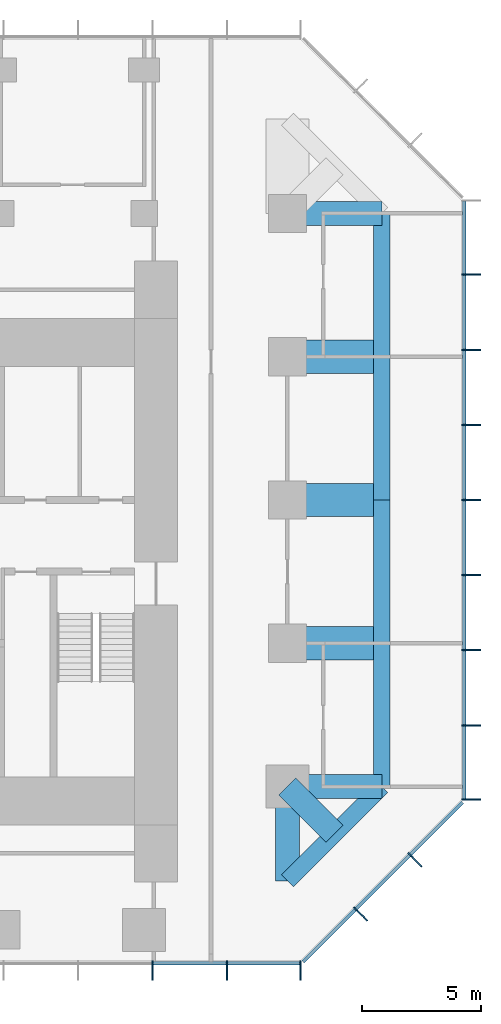
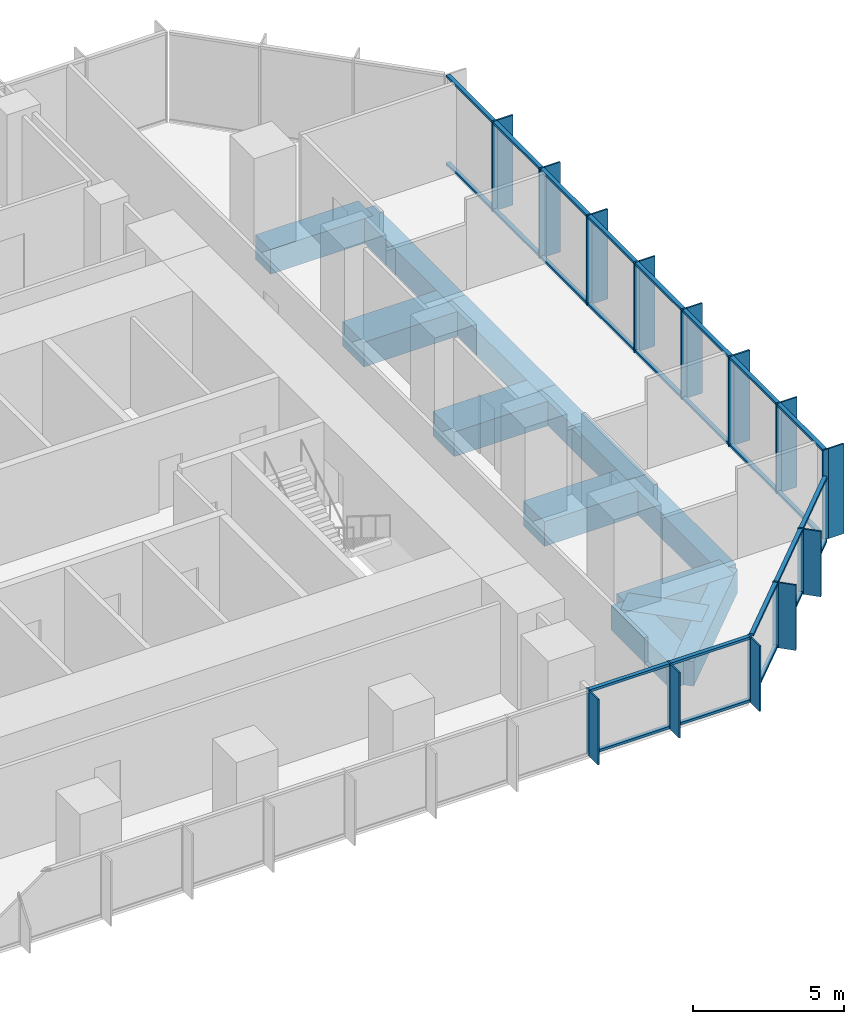
# One storey, part 4 of 10: 52 members, 12 beams, 3 elements without a shape of their own.
"""IFC4 building model written with IfcOpenShell, lengths in metres."""

from ifc_helpers import new_model, si_unit, direction, frame, origin, origin_2d, place, context, subcontext, project, spatial, rectangle, extrude, material, layer, layer_set, material_profile, profile_set, type_object, element, aggregate, save


model = new_model("IFC4")

# Units and contexts
model_context = context("Model", 3, precision=1e-05, world=origin(), true_north=direction((0.0, 1.0)))
body_context = subcontext(model_context, "Body", "Model", "MODEL_VIEW")
ifc_project = project(units=[si_unit("LENGTHUNIT", "METRE"), si_unit("AREAUNIT", "SQUARE_METRE"), si_unit("VOLUMEUNIT", "CUBIC_METRE"), si_unit("PLANEANGLEUNIT", "RADIAN"), si_unit("MASSUNIT", "GRAM", prefix="KILO")], contexts=[model_context])

# Site, building, storey
site_placement = place(None, origin())
site = spatial("IfcSite", under=ifc_project, at=site_placement, CompositionType="ELEMENT")
building_placement = place(site_placement, origin())
building = spatial("IfcBuilding", under=site, at=building_placement, Name="Highveld Stack Headquarters", CompositionType="ELEMENT")
storey_placement = place(building_placement, frame((0.0, 0.0, 264.5)))
storey = spatial("IfcBuildingStorey", under=building, at=storey_placement, Name="L65", CompositionType="ELEMENT", Elevation=264.5)

# Beams
ifc_material_1 = material(Name="Concrete C60/75", Category="concrete")
ifc_material_profile_1 = material_profile(ifc_material_1, rectangle(XDim=1.0, YDim=1.0, at=origin_2d()), Name="RC 1000x1000")
ifc_profile_set_1 = profile_set([ifc_material_profile_1], Name="Concrete C60/75")
beam_type_1 = type_object("IfcBeamType", Name="CANTILEVER RIB RC 1000x1000", PredefinedType="USERDEFINED", material=ifc_profile_set_1)
for number, where, z_axis, x_axis, name in (
    (1, (24.0, -6.0, -0.75), (1.0, 0.0, 0.0), (0.0, 1.0, 0.0), "Cantilever rib 10/D L65"),
    (2, (24.0, -6.0, -0.75), (0.0, -1.0, 0.0), (1.0, 0.0, 0.0), "Cantilever rib 10/D L65"),
):
    element("IfcBeam", number, at=place(storey_placement, frame(where, z_axis=z_axis, x_axis=x_axis)), inside=storey, type_object=beam_type_1, Name=name, ObjectType="CANTILEVER RIB", PredefinedType="USERDEFINED", context=body_context, shape_type="SweptSolid", body=[
        extrude(rectangle(XDim=1.0, YDim=1.0, at=origin_2d()), origin(), (0.0, 0.0, 1.0), 3.949951171875),
    ])
beam_1_placement = place(storey_placement, frame((24.0, -6.0, -0.75), z_axis=(0.707106781187, -0.707106781187, 0.0), x_axis=(0.707106781187, 0.707106781187, 0.0)))
element("IfcBeam", 3, at=beam_1_placement, inside=storey, type_object=beam_type_1, Name="Cantilever rib 10/D L65", ObjectType="CANTILEVER RIB", PredefinedType="USERDEFINED", context=body_context, shape_type="SweptSolid", body=[
    extrude(rectangle(XDim=1.0, YDim=1.0, at=origin_2d()), origin(), (0.0, 0.0, 1.0), 2.793212890625),
])
beam_2_placement = place(storey_placement, frame((24.0, 18.0, -0.75), z_axis=(1.0, 0.0, 0.0), x_axis=(0.0, 1.0, 0.0)))
element("IfcBeam", 4, at=beam_2_placement, inside=storey, type_object=beam_type_1, Name="Cantilever rib 10/H L65", ObjectType="CANTILEVER RIB", PredefinedType="USERDEFINED", context=body_context, shape_type="SweptSolid", body=[
    extrude(rectangle(XDim=1.0, YDim=1.0, at=origin_2d()), origin(), (0.0, 0.0, 1.0), 3.949951171875),
])
ifc_material_2 = material(Name="Concrete C60/75", Category="concrete")
ifc_material_profile_2 = material_profile(ifc_material_2, rectangle(XDim=1.39990234375, YDim=1.0, at=origin_2d()), Name="RC 1400x1000")
ifc_profile_set_2 = profile_set([ifc_material_profile_2], Name="Concrete C60/75")
beam_type_2 = type_object("IfcBeamType", Name="CANTILEVER RIB RC 1400x1000", PredefinedType="USERDEFINED", material=ifc_profile_set_2)
for number, where, z_axis, x_axis, name in (
    (5, (24.0, 0.0, -0.75), (1.0, 0.0, 0.0), (0.0, 1.0, 0.0), "Cantilever rib 10/E L65"),
    (6, (24.0, 6.0, -0.75), (1.0, 0.0, 0.0), (0.0, 1.0, 0.0), "Cantilever rib 10/F L65"),
    (7, (24.0, 12.0, -0.75), (1.0, 0.0, 0.0), (0.0, 1.0, 0.0), "Cantilever rib 10/G L65"),
):
    element("IfcBeam", number, at=place(storey_placement, frame(where, z_axis=z_axis, x_axis=x_axis)), inside=storey, type_object=beam_type_2, Name=name, ObjectType="CANTILEVER RIB", PredefinedType="USERDEFINED", context=body_context, shape_type="SweptSolid", body=[
        extrude(rectangle(XDim=1.39990234375, YDim=1.0, at=origin_2d()), origin(), (0.0, 0.0, 1.0), 3.949951171875),
    ])

# Curtain wall, members
ifc_material_3 = material(Name="Aluminium bronze anodised", Category="aluminium")
ifc_layer = layer(ifc_material_3, 0.199951171875)
ifc_layer_set = layer_set([ifc_layer], Name="Aluminium bronze anodised")
curtain_wall_type = type_object("IfcCurtainWallType", Name="CW5 EXECUTIVE UNITISED CURTAIN WALL", PredefinedType="NOTDEFINED", material=ifc_layer_set)
curtain_wall_1_placement = place(storey_placement, origin())
curtain_wall_1 = element("IfcCurtainWall", 8, at=curtain_wall_1_placement, inside=storey, type_object=curtain_wall_type, Name="Curtain wall CW5 L65 S", PredefinedType="NOTDEFINED")
ifc_material_4 = material(Name="Aluminium bronze anodised", Category="aluminium")
ifc_material_profile_3 = material_profile(ifc_material_4, rectangle(XDim=0.60009765625, YDim=0.06005859375, at=origin_2d()), Name="FIN 600x60")
ifc_profile_set_3 = profile_set([ifc_material_profile_3], Name="Aluminium bronze anodised")
member_type_1 = type_object("IfcMemberType", Name="CW5 BRONZE FIN 600x60", PredefinedType="USERDEFINED", material=ifc_profile_set_3)
member_1_placement = place(storey_placement, frame((18.347900390625, -13.800048828125, 0.0), z_axis=(0.0, 0.0, 1.0), x_axis=(0.0, 1.0, 0.0)))
member_1 = element("IfcMember", 9, at=member_1_placement, type_object=member_type_1, Name="CW5 fin L65 9", ObjectType="FIN", PredefinedType="USERDEFINED", context=body_context, shape_type="SweptSolid", body=[
    extrude(rectangle(XDim=0.60009765625, YDim=0.06005859375, at=origin_2d()), origin(), (0.0, 0.0, 1.0), 2.64990234375),
])
member_2_placement = place(storey_placement, frame((21.4638671875, -13.800048828125, 0.0), z_axis=(0.0, 0.0, 1.0), x_axis=(0.0, 1.0, 0.0)))
member_2 = element("IfcMember", 10, at=member_2_placement, type_object=member_type_1, Name="CW5 fin L65 10", ObjectType="FIN", PredefinedType="USERDEFINED", context=body_context, shape_type="SweptSolid", body=[
    extrude(rectangle(XDim=0.60009765625, YDim=0.06005859375, at=origin_2d()), origin(), (0.0, 0.0, 1.0), 2.64990234375),
])
member_3_placement = place(storey_placement, frame((24.54736328125, -13.800048828125, 0.0), z_axis=(0.0, 0.0, 1.0), x_axis=(0.0, 1.0, 0.0)))
member_3 = element("IfcMember", 11, at=member_3_placement, type_object=member_type_1, Name="CW5 fin L65 11", ObjectType="FIN", PredefinedType="USERDEFINED", context=body_context, shape_type="SweptSolid", body=[
    extrude(rectangle(XDim=0.60009765625, YDim=0.06005859375, at=origin_2d()), origin(), (0.0, 0.0, 1.0), 2.64990234375),
])

curtain_wall_2_placement = place(storey_placement, origin())
curtain_wall_2 = element("IfcCurtainWall", 12, at=curtain_wall_2_placement, inside=storey, type_object=curtain_wall_type, Name="Curtain wall CW5 L65 SE", PredefinedType="NOTDEFINED")
member_4_placement = place(storey_placement, frame((27.135986328125, -11.409423828125, 0.0), z_axis=(0.0, 0.0, 1.0), x_axis=(-0.707106781187, 0.707106781187, 0.0)))
member_4 = element("IfcMember", 13, at=member_4_placement, type_object=member_type_1, Name="CW5 fin L65 1", ObjectType="FIN", PredefinedType="USERDEFINED", context=body_context, shape_type="SweptSolid", body=[
    extrude(rectangle(XDim=0.60009765625, YDim=0.06005859375, at=origin_2d()), origin(), (0.0, 0.0, 1.0), 2.64990234375),
])
member_5_placement = place(storey_placement, frame((29.409423828125, -9.135986328125, 0.0), z_axis=(0.0, 0.0, 1.0), x_axis=(-0.707106781187, 0.707106781187, 0.0)))
member_5 = element("IfcMember", 14, at=member_5_placement, type_object=member_type_1, Name="CW5 fin L65 2", ObjectType="FIN", PredefinedType="USERDEFINED", context=body_context, shape_type="SweptSolid", body=[
    extrude(rectangle(XDim=0.60009765625, YDim=0.06005859375, at=origin_2d()), origin(), (0.0, 0.0, 1.0), 2.64990234375),
])

curtain_wall_3_placement = place(storey_placement, origin())
curtain_wall_3 = element("IfcCurtainWall", 15, at=curtain_wall_3_placement, inside=storey, type_object=curtain_wall_type, Name="Curtain wall CW5 L65 E", PredefinedType="NOTDEFINED")
member_6_placement = place(storey_placement, frame((31.800048828125, -6.54736328125, 0.0), z_axis=(0.0, 0.0, 1.0), x_axis=(-1.0, 0.0, 0.0)))
member_6 = element("IfcMember", 16, at=member_6_placement, type_object=member_type_1, Name="CW5 fin L65 1", ObjectType="FIN", PredefinedType="USERDEFINED", context=body_context, shape_type="SweptSolid", body=[
    extrude(rectangle(XDim=0.60009765625, YDim=0.06005859375, at=origin_2d()), origin(), (0.0, 0.0, 1.0), 3.64990234375),
])
member_7_placement = place(storey_placement, frame((31.800048828125, -3.434814453125, 0.0), z_axis=(0.0, 0.0, 1.0), x_axis=(-1.0, 0.0, 0.0)))
member_7 = element("IfcMember", 17, at=member_7_placement, type_object=member_type_1, Name="CW5 fin L65 2", ObjectType="FIN", PredefinedType="USERDEFINED", context=body_context, shape_type="SweptSolid", body=[
    extrude(rectangle(XDim=0.60009765625, YDim=0.06005859375, at=origin_2d()), origin(), (0.0, 0.0, 1.0), 3.64990234375),
])
member_8_placement = place(storey_placement, frame((31.800048828125, -0.2900390625, 0.0), z_axis=(0.0, 0.0, 1.0), x_axis=(-1.0, 0.0, 0.0)))
member_8 = element("IfcMember", 18, at=member_8_placement, type_object=member_type_1, Name="CW5 fin L65 3", ObjectType="FIN", PredefinedType="USERDEFINED", context=body_context, shape_type="SweptSolid", body=[
    extrude(rectangle(XDim=0.60009765625, YDim=0.06005859375, at=origin_2d()), origin(), (0.0, 0.0, 1.0), 3.64990234375),
])
member_9_placement = place(storey_placement, frame((31.800048828125, 2.85498046875, 0.0), z_axis=(0.0, 0.0, 1.0), x_axis=(-1.0, 0.0, 0.0)))
member_9 = element("IfcMember", 19, at=member_9_placement, type_object=member_type_1, Name="CW5 fin L65 4", ObjectType="FIN", PredefinedType="USERDEFINED", context=body_context, shape_type="SweptSolid", body=[
    extrude(rectangle(XDim=0.60009765625, YDim=0.06005859375, at=origin_2d()), origin(), (0.0, 0.0, 1.0), 3.64990234375),
])
member_10_placement = place(storey_placement, frame((31.800048828125, 6.0, 0.0), z_axis=(0.0, 0.0, 1.0), x_axis=(-1.0, 0.0, 0.0)))
member_10 = element("IfcMember", 20, at=member_10_placement, type_object=member_type_1, Name="CW5 fin L65 5", ObjectType="FIN", PredefinedType="USERDEFINED", context=body_context, shape_type="SweptSolid", body=[
    extrude(rectangle(XDim=0.60009765625, YDim=0.06005859375, at=origin_2d()), origin(), (0.0, 0.0, 1.0), 3.64990234375),
])
member_11_placement = place(storey_placement, frame((31.800048828125, 9.14501953125, 0.0), z_axis=(0.0, 0.0, 1.0), x_axis=(-1.0, 0.0, 0.0)))
member_11 = element("IfcMember", 21, at=member_11_placement, type_object=member_type_1, Name="CW5 fin L65 6", ObjectType="FIN", PredefinedType="USERDEFINED", context=body_context, shape_type="SweptSolid", body=[
    extrude(rectangle(XDim=0.60009765625, YDim=0.06005859375, at=origin_2d()), origin(), (0.0, 0.0, 1.0), 3.64990234375),
])
member_12_placement = place(storey_placement, frame((31.800048828125, 12.289794921875, 0.0), z_axis=(0.0, 0.0, 1.0), x_axis=(-1.0, 0.0, 0.0)))
member_12 = element("IfcMember", 22, at=member_12_placement, type_object=member_type_1, Name="CW5 fin L65 7", ObjectType="FIN", PredefinedType="USERDEFINED", context=body_context, shape_type="SweptSolid", body=[
    extrude(rectangle(XDim=0.60009765625, YDim=0.06005859375, at=origin_2d()), origin(), (0.0, 0.0, 1.0), 3.64990234375),
])
member_13_placement = place(storey_placement, frame((31.800048828125, 15.434814453125, 0.0), z_axis=(0.0, 0.0, 1.0), x_axis=(-1.0, 0.0, 0.0)))
member_13 = element("IfcMember", 23, at=member_13_placement, type_object=member_type_1, Name="CW5 fin L65 8", ObjectType="FIN", PredefinedType="USERDEFINED", context=body_context, shape_type="SweptSolid", body=[
    extrude(rectangle(XDim=0.60009765625, YDim=0.06005859375, at=origin_2d()), origin(), (0.0, 0.0, 1.0), 3.64990234375),
])

# Member
ifc_material_5 = material(Name="Aluminium bronze anodised", Category="aluminium")
ifc_material_profile_4 = material_profile(ifc_material_5, rectangle(XDim=0.199951171875, YDim=0.06494140625, at=origin_2d()), Name="CW5 MULLION 65x200")
ifc_profile_set_4 = profile_set([ifc_material_profile_4], Name="Aluminium bronze anodised")
member_type_2 = type_object("IfcMemberType", Name="CW5 MULLION 65x200", PredefinedType="MULLION", material=ifc_profile_set_4)
member_14_placement = place(storey_placement, frame((18.347900390625, -13.39990234375, 0.0), z_axis=(0.0, 0.0, 1.0), x_axis=(0.0, 1.0, 0.0)))
member_14 = element("IfcMember", 24, at=member_14_placement, type_object=member_type_2, Name="CW5 mullion L65 9", PredefinedType="MULLION", context=body_context, shape_type="SweptSolid", body=[
    extrude(rectangle(XDim=0.199951171875, YDim=0.06494140625, at=origin_2d()), origin(), (0.0, 0.0, 1.0), 2.64990234375),
])

member_15_placement = place(storey_placement, frame((21.4638671875, -13.39990234375, 0.0), z_axis=(0.0, 0.0, 1.0), x_axis=(0.0, 1.0, 0.0)))
member_15 = element("IfcMember", 25, at=member_15_placement, type_object=member_type_2, Name="CW5 mullion L65 10", PredefinedType="MULLION", context=body_context, shape_type="SweptSolid", body=[
    extrude(rectangle(XDim=0.199951171875, YDim=0.06494140625, at=origin_2d()), origin(), (0.0, 0.0, 1.0), 2.64990234375),
])

member_16_placement = place(storey_placement, frame((24.54736328125, -13.39990234375, 0.0), z_axis=(0.0, 0.0, 1.0), x_axis=(0.0, 1.0, 0.0)))
member_16 = element("IfcMember", 26, at=member_16_placement, type_object=member_type_2, Name="CW5 mullion L65 11", PredefinedType="MULLION", context=body_context, shape_type="SweptSolid", body=[
    extrude(rectangle(XDim=0.199951171875, YDim=0.06494140625, at=origin_2d()), origin(), (0.0, 0.0, 1.0), 2.64990234375),
])

member_17_placement = place(storey_placement, frame((26.853271484375, -11.126708984375, 0.0), z_axis=(0.0, 0.0, 1.0), x_axis=(-0.707106781187, 0.707106781187, 0.0)))
member_17 = element("IfcMember", 27, at=member_17_placement, type_object=member_type_2, Name="CW5 mullion L65 1", PredefinedType="MULLION", context=body_context, shape_type="SweptSolid", body=[
    extrude(rectangle(XDim=0.199951171875, YDim=0.06494140625, at=origin_2d()), origin(), (0.0, 0.0, 1.0), 2.64990234375),
])

member_18_placement = place(storey_placement, frame((29.126708984375, -8.853271484375, 0.0), z_axis=(0.0, 0.0, 1.0), x_axis=(-0.707106781187, 0.707106781187, 0.0)))
member_18 = element("IfcMember", 28, at=member_18_placement, type_object=member_type_2, Name="CW5 mullion L65 2", PredefinedType="MULLION", context=body_context, shape_type="SweptSolid", body=[
    extrude(rectangle(XDim=0.199951171875, YDim=0.06494140625, at=origin_2d()), origin(), (0.0, 0.0, 1.0), 2.64990234375),
])

member_19_placement = place(storey_placement, frame((31.39990234375, -6.54736328125, 0.0), z_axis=(0.0, 0.0, 1.0), x_axis=(-1.0, 0.0, 0.0)))
member_19 = element("IfcMember", 29, at=member_19_placement, type_object=member_type_2, Name="CW5 mullion L65 1", PredefinedType="MULLION", context=body_context, shape_type="SweptSolid", body=[
    extrude(rectangle(XDim=0.199951171875, YDim=0.06494140625, at=origin_2d()), origin(), (0.0, 0.0, 1.0), 3.64990234375),
])

member_20_placement = place(storey_placement, frame((31.39990234375, -3.434814453125, 0.0), z_axis=(0.0, 0.0, 1.0), x_axis=(-1.0, 0.0, 0.0)))
member_20 = element("IfcMember", 30, at=member_20_placement, type_object=member_type_2, Name="CW5 mullion L65 2", PredefinedType="MULLION", context=body_context, shape_type="SweptSolid", body=[
    extrude(rectangle(XDim=0.199951171875, YDim=0.06494140625, at=origin_2d()), origin(), (0.0, 0.0, 1.0), 3.64990234375),
])

member_21_placement = place(storey_placement, frame((31.39990234375, -0.2900390625, 0.0), z_axis=(0.0, 0.0, 1.0), x_axis=(-1.0, 0.0, 0.0)))
member_21 = element("IfcMember", 31, at=member_21_placement, type_object=member_type_2, Name="CW5 mullion L65 3", PredefinedType="MULLION", context=body_context, shape_type="SweptSolid", body=[
    extrude(rectangle(XDim=0.199951171875, YDim=0.06494140625, at=origin_2d()), origin(), (0.0, 0.0, 1.0), 3.64990234375),
])

member_22_placement = place(storey_placement, frame((31.39990234375, 2.85498046875, 0.0), z_axis=(0.0, 0.0, 1.0), x_axis=(-1.0, 0.0, 0.0)))
member_22 = element("IfcMember", 32, at=member_22_placement, type_object=member_type_2, Name="CW5 mullion L65 4", PredefinedType="MULLION", context=body_context, shape_type="SweptSolid", body=[
    extrude(rectangle(XDim=0.199951171875, YDim=0.06494140625, at=origin_2d()), origin(), (0.0, 0.0, 1.0), 3.64990234375),
])

member_23_placement = place(storey_placement, frame((31.39990234375, 6.0, 0.0), z_axis=(0.0, 0.0, 1.0), x_axis=(-1.0, 0.0, 0.0)))
member_23 = element("IfcMember", 33, at=member_23_placement, type_object=member_type_2, Name="CW5 mullion L65 5", PredefinedType="MULLION", context=body_context, shape_type="SweptSolid", body=[
    extrude(rectangle(XDim=0.199951171875, YDim=0.06494140625, at=origin_2d()), origin(), (0.0, 0.0, 1.0), 3.64990234375),
])

member_24_placement = place(storey_placement, frame((31.39990234375, 9.14501953125, 0.0), z_axis=(0.0, 0.0, 1.0), x_axis=(-1.0, 0.0, 0.0)))
member_24 = element("IfcMember", 34, at=member_24_placement, type_object=member_type_2, Name="CW5 mullion L65 6", PredefinedType="MULLION", context=body_context, shape_type="SweptSolid", body=[
    extrude(rectangle(XDim=0.199951171875, YDim=0.06494140625, at=origin_2d()), origin(), (0.0, 0.0, 1.0), 3.64990234375),
])

member_25_placement = place(storey_placement, frame((31.39990234375, 12.289794921875, 0.0), z_axis=(0.0, 0.0, 1.0), x_axis=(-1.0, 0.0, 0.0)))
member_25 = element("IfcMember", 35, at=member_25_placement, type_object=member_type_2, Name="CW5 mullion L65 7", PredefinedType="MULLION", context=body_context, shape_type="SweptSolid", body=[
    extrude(rectangle(XDim=0.199951171875, YDim=0.06494140625, at=origin_2d()), origin(), (0.0, 0.0, 1.0), 3.64990234375),
])

member_26_placement = place(storey_placement, frame((31.39990234375, 15.434814453125, 0.0), z_axis=(0.0, 0.0, 1.0), x_axis=(-1.0, 0.0, 0.0)))
member_26 = element("IfcMember", 36, at=member_26_placement, type_object=member_type_2, Name="CW5 mullion L65 8", PredefinedType="MULLION", context=body_context, shape_type="SweptSolid", body=[
    extrude(rectangle(XDim=0.199951171875, YDim=0.06494140625, at=origin_2d()), origin(), (0.0, 0.0, 1.0), 3.64990234375),
])

ifc_material_6 = material(Name="Aluminium bronze anodised", Category="aluminium")
ifc_material_profile_5 = material_profile(ifc_material_6, rectangle(XDim=0.14990234375, YDim=0.10009765625, at=origin_2d()), Name="CW5 TRANSOM 150x100")
ifc_profile_set_5 = profile_set([ifc_material_profile_5], Name="Aluminium bronze anodised")
member_type_3 = type_object("IfcMemberType", Name="CW5 STACK TRANSOM 150x100", PredefinedType="USERDEFINED", material=ifc_profile_set_5)
member_27_placement = place(storey_placement, frame((18.38037109375, -13.39990234375, 0.050048828125), z_axis=(1.0, 0.0, 0.0), x_axis=(0.0, 1.0, 0.0)))
member_27 = element("IfcMember", 37, at=member_27_placement, type_object=member_type_3, Name="CW5 transom L65 9.1", ObjectType="TRANSOM", PredefinedType="USERDEFINED", context=body_context, shape_type="SweptSolid", body=[
    extrude(rectangle(XDim=0.14990234375, YDim=0.10009765625, at=origin_2d()), origin(), (0.0, 0.0, 1.0), 3.051025390625),
])

member_28_placement = place(storey_placement, frame((18.38037109375, -13.39990234375, 2.60009765625), z_axis=(1.0, 0.0, 0.0), x_axis=(0.0, 1.0, 0.0)))
member_28 = element("IfcMember", 38, at=member_28_placement, type_object=member_type_3, Name="CW5 transom L65 9.2", ObjectType="TRANSOM", PredefinedType="USERDEFINED", context=body_context, shape_type="SweptSolid", body=[
    extrude(rectangle(XDim=0.14990234375, YDim=0.10009765625, at=origin_2d()), origin(), (0.0, 0.0, 1.0), 3.051025390625),
])

member_29_placement = place(storey_placement, frame((21.496337890625, -13.39990234375, 0.050048828125), z_axis=(1.0, 0.0, 0.0), x_axis=(0.0, 1.0, 0.0)))
member_29 = element("IfcMember", 39, at=member_29_placement, type_object=member_type_3, Name="CW5 transom L65 10.1", ObjectType="TRANSOM", PredefinedType="USERDEFINED", context=body_context, shape_type="SweptSolid", body=[
    extrude(rectangle(XDim=0.14990234375, YDim=0.10009765625, at=origin_2d()), origin(), (0.0, 0.0, 1.0), 3.0185546875),
])

member_30_placement = place(storey_placement, frame((21.496337890625, -13.39990234375, 2.60009765625), z_axis=(1.0, 0.0, 0.0), x_axis=(0.0, 1.0, 0.0)))
member_30 = element("IfcMember", 40, at=member_30_placement, type_object=member_type_3, Name="CW5 transom L65 10.2", ObjectType="TRANSOM", PredefinedType="USERDEFINED", context=body_context, shape_type="SweptSolid", body=[
    extrude(rectangle(XDim=0.14990234375, YDim=0.10009765625, at=origin_2d()), origin(), (0.0, 0.0, 1.0), 3.0185546875),
])

aggregate(curtain_wall_1, [member_14, member_1, member_15, member_2, member_16, member_3, member_27, member_28, member_29, member_30])

member_31_placement = place(storey_placement, frame((24.650634765625, -13.329345703125, 0.050048828125), z_axis=(0.707106781187, 0.707106781187, 0.0), x_axis=(-0.707106781187, 0.707106781187, 0.0)))
member_31 = element("IfcMember", 41, at=member_31_placement, type_object=member_type_3, Name="CW5 transom L65 1.1", ObjectType="TRANSOM", PredefinedType="USERDEFINED", context=body_context, shape_type="SweptSolid", body=[
    extrude(rectangle(XDim=0.14990234375, YDim=0.10009765625, at=origin_2d()), origin(), (0.0, 0.0, 1.0), 3.08251953125),
])

member_32_placement = place(storey_placement, frame((24.650634765625, -13.329345703125, 2.60009765625), z_axis=(0.707106781187, 0.707106781187, 0.0), x_axis=(-0.707106781187, 0.707106781187, 0.0)))
member_32 = element("IfcMember", 42, at=member_32_placement, type_object=member_type_3, Name="CW5 transom L65 1.2", ObjectType="TRANSOM", PredefinedType="USERDEFINED", context=body_context, shape_type="SweptSolid", body=[
    extrude(rectangle(XDim=0.14990234375, YDim=0.10009765625, at=origin_2d()), origin(), (0.0, 0.0, 1.0), 3.08251953125),
])

member_33_placement = place(storey_placement, frame((26.876220703125, -11.103759765625, 0.050048828125), z_axis=(0.707106781187, 0.707106781187, 0.0), x_axis=(-0.707106781187, 0.707106781187, 0.0)))
member_33 = element("IfcMember", 43, at=member_33_placement, type_object=member_type_3, Name="CW5 transom L65 2.1", ObjectType="TRANSOM", PredefinedType="USERDEFINED", context=body_context, shape_type="SweptSolid", body=[
    extrude(rectangle(XDim=0.14990234375, YDim=0.10009765625, at=origin_2d()), origin(), (0.0, 0.0, 1.0), 3.150146484375),
])

member_34_placement = place(storey_placement, frame((26.876220703125, -11.103759765625, 2.60009765625), z_axis=(0.707106781187, 0.707106781187, 0.0), x_axis=(-0.707106781187, 0.707106781187, 0.0)))
member_34 = element("IfcMember", 44, at=member_34_placement, type_object=member_type_3, Name="CW5 transom L65 2.2", ObjectType="TRANSOM", PredefinedType="USERDEFINED", context=body_context, shape_type="SweptSolid", body=[
    extrude(rectangle(XDim=0.14990234375, YDim=0.10009765625, at=origin_2d()), origin(), (0.0, 0.0, 1.0), 3.150146484375),
])

member_35_placement = place(storey_placement, frame((29.149658203125, -8.830322265625, 0.050048828125), z_axis=(0.707106781187, 0.707106781187, 0.0), x_axis=(-0.707106781187, 0.707106781187, 0.0)))
member_35 = element("IfcMember", 45, at=member_35_placement, type_object=member_type_3, Name="CW5 transom L65 3.1", ObjectType="TRANSOM", PredefinedType="USERDEFINED", context=body_context, shape_type="SweptSolid", body=[
    extrude(rectangle(XDim=0.14990234375, YDim=0.10009765625, at=origin_2d()), origin(), (0.0, 0.0, 1.0), 3.08251953125),
])

member_36_placement = place(storey_placement, frame((29.149658203125, -8.830322265625, 2.60009765625), z_axis=(0.707106781187, 0.707106781187, 0.0), x_axis=(-0.707106781187, 0.707106781187, 0.0)))
member_36 = element("IfcMember", 46, at=member_36_placement, type_object=member_type_3, Name="CW5 transom L65 3.2", ObjectType="TRANSOM", PredefinedType="USERDEFINED", context=body_context, shape_type="SweptSolid", body=[
    extrude(rectangle(XDim=0.14990234375, YDim=0.10009765625, at=origin_2d()), origin(), (0.0, 0.0, 1.0), 3.08251953125),
])

aggregate(curtain_wall_2, [member_17, member_4, member_18, member_5, member_31, member_32, member_33, member_34, member_35, member_36])

member_37_placement = place(storey_placement, frame((31.39990234375, -6.514892578125, 0.050048828125), z_axis=(0.0, 1.0, 0.0), x_axis=(-1.0, 0.0, 0.0)))
member_37 = element("IfcMember", 47, at=member_37_placement, type_object=member_type_3, Name="CW5 transom L65 1.1", ObjectType="TRANSOM", PredefinedType="USERDEFINED", context=body_context, shape_type="SweptSolid", body=[
    extrude(rectangle(XDim=0.14990234375, YDim=0.10009765625, at=origin_2d()), origin(), (0.0, 0.0, 1.0), 3.047607421875),
])

member_38_placement = place(storey_placement, frame((31.39990234375, -6.514892578125, 3.60009765625), z_axis=(0.0, 1.0, 0.0), x_axis=(-1.0, 0.0, 0.0)))
member_38 = element("IfcMember", 48, at=member_38_placement, type_object=member_type_3, Name="CW5 transom L65 1.2", ObjectType="TRANSOM", PredefinedType="USERDEFINED", context=body_context, shape_type="SweptSolid", body=[
    extrude(rectangle(XDim=0.14990234375, YDim=0.10009765625, at=origin_2d()), origin(), (0.0, 0.0, 1.0), 3.047607421875),
])

member_39_placement = place(storey_placement, frame((31.39990234375, -3.40234375, 0.050048828125), z_axis=(0.0, 1.0, 0.0), x_axis=(-1.0, 0.0, 0.0)))
member_39 = element("IfcMember", 49, at=member_39_placement, type_object=member_type_3, Name="CW5 transom L65 2.1", ObjectType="TRANSOM", PredefinedType="USERDEFINED", context=body_context, shape_type="SweptSolid", body=[
    extrude(rectangle(XDim=0.14990234375, YDim=0.10009765625, at=origin_2d()), origin(), (0.0, 0.0, 1.0), 3.079833984375),
])

member_40_placement = place(storey_placement, frame((31.39990234375, -3.40234375, 3.60009765625), z_axis=(0.0, 1.0, 0.0), x_axis=(-1.0, 0.0, 0.0)))
member_40 = element("IfcMember", 50, at=member_40_placement, type_object=member_type_3, Name="CW5 transom L65 2.2", ObjectType="TRANSOM", PredefinedType="USERDEFINED", context=body_context, shape_type="SweptSolid", body=[
    extrude(rectangle(XDim=0.14990234375, YDim=0.10009765625, at=origin_2d()), origin(), (0.0, 0.0, 1.0), 3.079833984375),
])

member_41_placement = place(storey_placement, frame((31.39990234375, -0.257568359375, 0.050048828125), z_axis=(0.0, 1.0, 0.0), x_axis=(-1.0, 0.0, 0.0)))
member_41 = element("IfcMember", 51, at=member_41_placement, type_object=member_type_3, Name="CW5 transom L65 3.1", ObjectType="TRANSOM", PredefinedType="USERDEFINED", context=body_context, shape_type="SweptSolid", body=[
    extrude(rectangle(XDim=0.14990234375, YDim=0.10009765625, at=origin_2d()), origin(), (0.0, 0.0, 1.0), 3.080078125),
])

member_42_placement = place(storey_placement, frame((31.39990234375, -0.257568359375, 3.60009765625), z_axis=(0.0, 1.0, 0.0), x_axis=(-1.0, 0.0, 0.0)))
member_42 = element("IfcMember", 52, at=member_42_placement, type_object=member_type_3, Name="CW5 transom L65 3.2", ObjectType="TRANSOM", PredefinedType="USERDEFINED", context=body_context, shape_type="SweptSolid", body=[
    extrude(rectangle(XDim=0.14990234375, YDim=0.10009765625, at=origin_2d()), origin(), (0.0, 0.0, 1.0), 3.080078125),
])

member_43_placement = place(storey_placement, frame((31.39990234375, 2.887451171875, 0.050048828125), z_axis=(0.0, 1.0, 0.0), x_axis=(-1.0, 0.0, 0.0)))
member_43 = element("IfcMember", 53, at=member_43_placement, type_object=member_type_3, Name="CW5 transom L65 4.1", ObjectType="TRANSOM", PredefinedType="USERDEFINED", context=body_context, shape_type="SweptSolid", body=[
    extrude(rectangle(XDim=0.14990234375, YDim=0.10009765625, at=origin_2d()), origin(), (0.0, 0.0, 1.0), 3.080078125),
])

member_44_placement = place(storey_placement, frame((31.39990234375, 2.887451171875, 3.60009765625), z_axis=(0.0, 1.0, 0.0), x_axis=(-1.0, 0.0, 0.0)))
member_44 = element("IfcMember", 54, at=member_44_placement, type_object=member_type_3, Name="CW5 transom L65 4.2", ObjectType="TRANSOM", PredefinedType="USERDEFINED", context=body_context, shape_type="SweptSolid", body=[
    extrude(rectangle(XDim=0.14990234375, YDim=0.10009765625, at=origin_2d()), origin(), (0.0, 0.0, 1.0), 3.080078125),
])

member_45_placement = place(storey_placement, frame((31.39990234375, 6.032470703125, 0.050048828125), z_axis=(0.0, 1.0, 0.0), x_axis=(-1.0, 0.0, 0.0)))
member_45 = element("IfcMember", 55, at=member_45_placement, type_object=member_type_3, Name="CW5 transom L65 5.1", ObjectType="TRANSOM", PredefinedType="USERDEFINED", context=body_context, shape_type="SweptSolid", body=[
    extrude(rectangle(XDim=0.14990234375, YDim=0.10009765625, at=origin_2d()), origin(), (0.0, 0.0, 1.0), 3.080078125),
])

member_46_placement = place(storey_placement, frame((31.39990234375, 6.032470703125, 3.60009765625), z_axis=(0.0, 1.0, 0.0), x_axis=(-1.0, 0.0, 0.0)))
member_46 = element("IfcMember", 56, at=member_46_placement, type_object=member_type_3, Name="CW5 transom L65 5.2", ObjectType="TRANSOM", PredefinedType="USERDEFINED", context=body_context, shape_type="SweptSolid", body=[
    extrude(rectangle(XDim=0.14990234375, YDim=0.10009765625, at=origin_2d()), origin(), (0.0, 0.0, 1.0), 3.080078125),
])

member_47_placement = place(storey_placement, frame((31.39990234375, 9.177490234375, 0.050048828125), z_axis=(0.0, 1.0, 0.0), x_axis=(-1.0, 0.0, 0.0)))
member_47 = element("IfcMember", 57, at=member_47_placement, type_object=member_type_3, Name="CW5 transom L65 6.1", ObjectType="TRANSOM", PredefinedType="USERDEFINED", context=body_context, shape_type="SweptSolid", body=[
    extrude(rectangle(XDim=0.14990234375, YDim=0.10009765625, at=origin_2d()), origin(), (0.0, 0.0, 1.0), 3.080078125),
])

member_48_placement = place(storey_placement, frame((31.39990234375, 9.177490234375, 3.60009765625), z_axis=(0.0, 1.0, 0.0), x_axis=(-1.0, 0.0, 0.0)))
member_48 = element("IfcMember", 58, at=member_48_placement, type_object=member_type_3, Name="CW5 transom L65 6.2", ObjectType="TRANSOM", PredefinedType="USERDEFINED", context=body_context, shape_type="SweptSolid", body=[
    extrude(rectangle(XDim=0.14990234375, YDim=0.10009765625, at=origin_2d()), origin(), (0.0, 0.0, 1.0), 3.080078125),
])

member_49_placement = place(storey_placement, frame((31.39990234375, 12.322509765625, 0.050048828125), z_axis=(0.0, 1.0, 0.0), x_axis=(-1.0, 0.0, 0.0)))
member_49 = element("IfcMember", 59, at=member_49_placement, type_object=member_type_3, Name="CW5 transom L65 7.1", ObjectType="TRANSOM", PredefinedType="USERDEFINED", context=body_context, shape_type="SweptSolid", body=[
    extrude(rectangle(XDim=0.14990234375, YDim=0.10009765625, at=origin_2d()), origin(), (0.0, 0.0, 1.0), 3.079833984375),
])

member_50_placement = place(storey_placement, frame((31.39990234375, 12.322509765625, 3.60009765625), z_axis=(0.0, 1.0, 0.0), x_axis=(-1.0, 0.0, 0.0)))
member_50 = element("IfcMember", 60, at=member_50_placement, type_object=member_type_3, Name="CW5 transom L65 7.2", ObjectType="TRANSOM", PredefinedType="USERDEFINED", context=body_context, shape_type="SweptSolid", body=[
    extrude(rectangle(XDim=0.14990234375, YDim=0.10009765625, at=origin_2d()), origin(), (0.0, 0.0, 1.0), 3.079833984375),
])

member_51_placement = place(storey_placement, frame((31.39990234375, 15.46728515625, 0.050048828125), z_axis=(0.0, 1.0, 0.0), x_axis=(-1.0, 0.0, 0.0)))
member_51 = element("IfcMember", 61, at=member_51_placement, type_object=member_type_3, Name="CW5 transom L65 8.1", ObjectType="TRANSOM", PredefinedType="USERDEFINED", context=body_context, shape_type="SweptSolid", body=[
    extrude(rectangle(XDim=0.14990234375, YDim=0.10009765625, at=origin_2d()), origin(), (0.0, 0.0, 1.0), 3.047607421875),
])

member_52_placement = place(storey_placement, frame((31.39990234375, 15.46728515625, 3.60009765625), z_axis=(0.0, 1.0, 0.0), x_axis=(-1.0, 0.0, 0.0)))
member_52 = element("IfcMember", 62, at=member_52_placement, type_object=member_type_3, Name="CW5 transom L65 8.2", ObjectType="TRANSOM", PredefinedType="USERDEFINED", context=body_context, shape_type="SweptSolid", body=[
    extrude(rectangle(XDim=0.14990234375, YDim=0.10009765625, at=origin_2d()), origin(), (0.0, 0.0, 1.0), 3.047607421875),
])

aggregate(curtain_wall_3, [member_19, member_6, member_20, member_7, member_21, member_8, member_22, member_9, member_23, member_10, member_24, member_11, member_25, member_12, member_26, member_13, member_37, member_38, member_39, member_40, member_41, member_42, member_43, member_44, member_45, member_46, member_47, member_48, member_49, member_50, member_51, member_52])

# Beams
ifc_material_7 = material(Name="Concrete C60/75", Category="concrete")
ifc_material_profile_6 = material_profile(ifc_material_7, rectangle(XDim=0.699951171875, YDim=1.0, at=origin_2d()), Name="RC 700x1000")
ifc_profile_set_6 = profile_set([ifc_material_profile_6], Name="Concrete C60/75")
beam_type_3 = type_object("IfcBeamType", Name="RIB TIP BEAM RC 700x1000", PredefinedType="SPANDREL", material=ifc_profile_set_6)
for number, where, z_axis, x_axis, name in (
    (63, (27.949951171875, -6.0, -0.75), (0.0, 1.0, 0.0), (-1.0, 0.0, 0.0), "Rib tip beam 10/D to 10/E L65"),
    (64, (27.949951171875, 0.0, -0.75), (0.0, 1.0, 0.0), (-1.0, 0.0, 0.0), "Rib tip beam 10/E to 10/F L65"),
    (65, (27.949951171875, 6.0, -0.75), (0.0, 1.0, 0.0), (-1.0, 0.0, 0.0), "Rib tip beam 10/F to 10/G L65"),
    (66, (27.949951171875, 12.0, -0.75), (0.0, 1.0, 0.0), (-1.0, 0.0, 0.0), "Rib tip beam 10/G to 10/H L65"),
):
    element("IfcBeam", number, at=place(storey_placement, frame(where, z_axis=z_axis, x_axis=x_axis)), inside=storey, type_object=beam_type_3, Name=name, PredefinedType="SPANDREL", context=body_context, shape_type="SweptSolid", body=[
        extrude(rectangle(XDim=0.699951171875, YDim=1.0, at=origin_2d()), origin(), (0.0, 0.0, 1.0), 6.0),
    ])
beam_3_placement = place(storey_placement, frame((27.949951171875, -6.0, -0.75), z_axis=(-0.707106781187, -0.707106781187, 0.0), x_axis=(0.707106781187, -0.707106781187, 0.0)))
element("IfcBeam", 67, at=beam_3_placement, inside=storey, type_object=beam_type_3, Name="Rib tip beam 10/D corner L65", PredefinedType="SPANDREL", context=body_context, shape_type="SweptSolid", body=[
    extrude(rectangle(XDim=0.699951171875, YDim=1.0, at=origin_2d()), origin(), (0.0, 0.0, 1.0), 5.586181640625),
])

save(model, "model.ifc")
